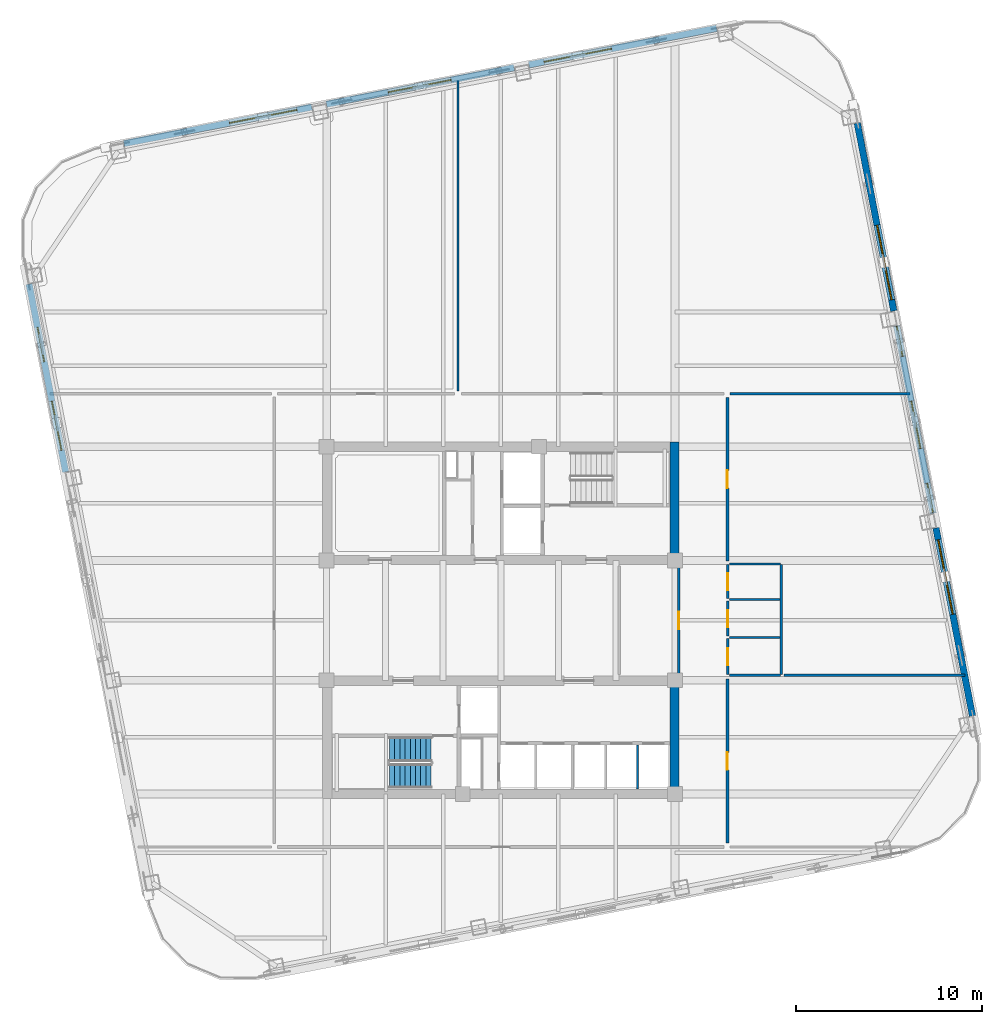
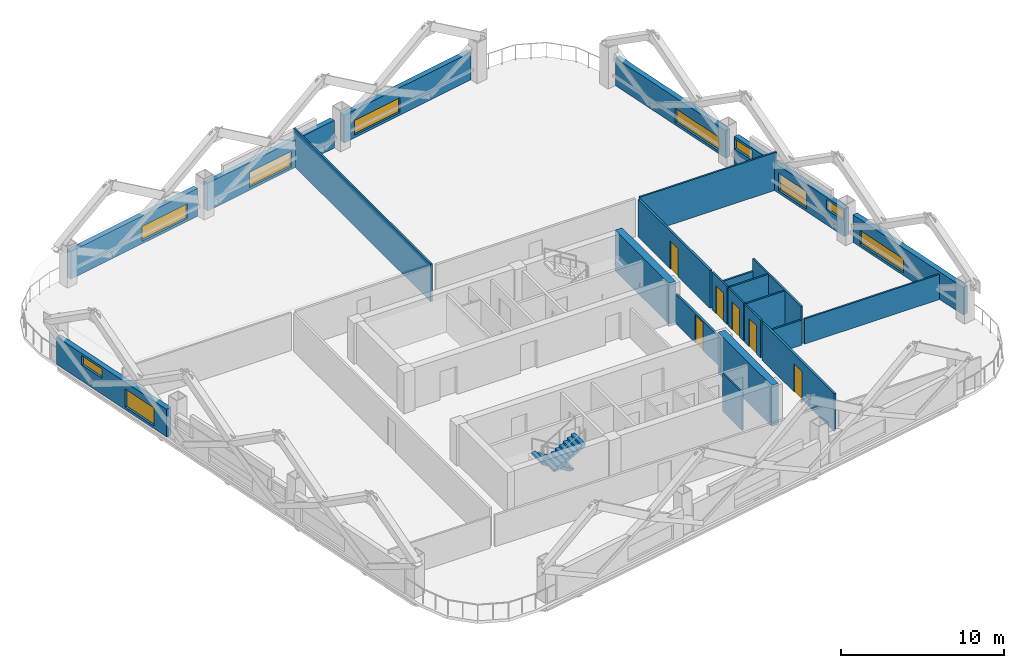
# One storey, part 6 of 10: 24 walls, 10 windows, 6 doors, 2 stair flights, 16 openings, 1 element without a shape of its own.
"""IFC4 building model written with IfcOpenShell, lengths in metres."""

from ifc_helpers import new_model, si_unit, direction, frame, frame_2d, origin, place, context, subcontext, project, spatial, polyline, rectangle, outline, extrude, material, layer, layer_set, type_object, element, fill, aggregate, save


model = new_model("IFC4")

# Units and contexts
model_context = context("Model", 3, precision=1e-05, world=origin(), true_north=direction((0.0, 1.0)))
body_context = subcontext(model_context, "Body", "Model", "MODEL_VIEW")
ifc_project = project(units=[si_unit("LENGTHUNIT", "METRE"), si_unit("AREAUNIT", "SQUARE_METRE"), si_unit("VOLUMEUNIT", "CUBIC_METRE"), si_unit("PLANEANGLEUNIT", "RADIAN"), si_unit("MASSUNIT", "GRAM", prefix="KILO")], contexts=[model_context])

# Site, building, storey
site_placement = place(None, origin())
site = spatial("IfcSite", under=ifc_project, at=site_placement, CompositionType="ELEMENT")
building_placement = place(site_placement, origin())
building = spatial("IfcBuilding", under=site, at=building_placement, Name="Qhalaya Broadcast Tower", CompositionType="ELEMENT")
storey_placement = place(building_placement, frame((0.0, 0.0, 118.89990234375)))
storey = spatial("IfcBuildingStorey", under=building, at=storey_placement, Name="L34", CompositionType="ELEMENT", Elevation=118.89990234375)

# Wall, opening, door
ifc_material_1 = material(Name="Gypsum Acoustic Partition")
ifc_layer_1 = layer(ifc_material_1, 0.14990234375, Name="Gypsum Acoustic Partition")
ifc_layer_set_1 = layer_set([ifc_layer_1], Name="Gypsum Acoustic Partition")
wall_type_1 = type_object("IfcWallType", Name="Corridor & Tenancy Acoustic Partition 150", PredefinedType="PARTITIONING", material=ifc_layer_set_1)
wall_1_placement = place(storey_placement, frame((9.580078125, -2.320068359375, 0.0), z_axis=(0.0, 0.0, 1.0), x_axis=(0.0, 1.0, 0.0)))
wall_1 = element("IfcWall", 1, at=wall_1_placement, inside=storey, type_object=wall_type_1, Name="L34 Partition Wall W-ICHE", PredefinedType="PARTITIONING", context=body_context, shape_type="SweptSolid", body=[
    extrude(rectangle(XDim=5.840087890625, YDim=0.14990234375, at=frame_2d((2.919921875, 0.0))), origin(), (0.0, 0.0, 1.0), 2.197998046875),
])
opening_1_placement = place(wall_1_placement, frame((2.445068359375, 0.0, 0.0)))
opening_1 = element("IfcOpeningElement", 2, at=opening_1_placement, cuts=wall_1, Name="Opening D10", PredefinedType="OPENING", context=body_context, shape_type="SweptSolid", body=[
    extrude(rectangle(XDim=0.949951171875, YDim=2.10009765625, at=frame_2d((0.47509765625, 1.050048828125))), frame((0.0, 0.0869140625, 0.0), z_axis=(0.0, -1.0, 0.0), x_axis=(1.0, 0.0, 0.0)), (0.0, 0.0, 1.0), 0.173828125),
])
ifc_material_2 = material(Name="Timber Veneer Acoustic Door", Category="wood")
door_type_1 = type_object("IfcDoorType", Name="Cellular Office & Edit Booth Door D10", OperationType="NOTDEFINED", PredefinedType="DOOR", material=ifc_material_2)
door_1_placement = place(opening_1_placement, origin())
door_1 = element("IfcDoor", 3, at=door_1_placement, inside=storey, type_object=door_type_1, Name="L34 Door D-ICHE", OperationType="SINGLE_SWING_RIGHT", OverallHeight=2.10009765625, OverallWidth=0.949951171875, PredefinedType="DOOR", context=body_context, shape_type="SweptSolid", body=[
    extrude(rectangle(XDim=0.949951171875, YDim=2.10009765625, at=frame_2d((0.47509765625, 1.050048828125))), frame((0.0, 0.02490234375, 0.0), z_axis=(0.0, -1.0, 0.0), x_axis=(1.0, 0.0, 0.0)), (0.0, 0.0, 1.0), 0.050048828125),
])
fill(opening_1, door_1)

wall_2_placement = place(storey_placement, frame((12.199951171875, -11.39990234375, 0.0), z_axis=(0.0, 0.0, 1.0), x_axis=(0.0, 1.0, 0.0)))
wall_2 = element("IfcWall", 4, at=wall_2_placement, inside=storey, type_object=wall_type_1, Name="L34 Partition Wall W-COR-05", PredefinedType="PARTITIONING", context=body_context, shape_type="SweptSolid", body=[
    extrude(rectangle(XDim=8.83984375, YDim=0.14990234375, at=frame_2d((4.419921875, 0.0))), origin(), (0.0, 0.0, 1.0), 2.830078125),
])
opening_2_placement = place(wall_2_placement, frame((3.945068359375, 0.0, 0.0)))
opening_2 = element("IfcOpeningElement", 5, at=opening_2_placement, cuts=wall_2, Name="Opening D10", PredefinedType="OPENING", context=body_context, shape_type="SweptSolid", body=[
    extrude(rectangle(XDim=0.949951171875, YDim=2.10009765625, at=frame_2d((0.47509765625, 1.050048828125))), frame((0.0, 0.0869140625, 0.0), z_axis=(0.0, -1.0, 0.0), x_axis=(1.0, 0.0, 0.0)), (0.0, 0.0, 1.0), 0.173828125),
])
door_2_placement = place(opening_2_placement, origin())
door_2 = element("IfcDoor", 6, at=door_2_placement, inside=storey, type_object=door_type_1, Name="L34 Door D-RM05", OperationType="SINGLE_SWING_RIGHT", OverallHeight=2.10009765625, OverallWidth=0.949951171875, PredefinedType="DOOR", context=body_context, shape_type="SweptSolid", body=[
    extrude(rectangle(XDim=0.949951171875, YDim=2.10009765625, at=frame_2d((0.47509765625, 1.050048828125))), frame((0.0, 0.02490234375, 0.0), z_axis=(0.0, -1.0, 0.0), x_axis=(1.0, 0.0, 0.0)), (0.0, 0.0, 1.0), 0.050048828125),
])
fill(opening_2, door_2)

wall_3_placement = place(storey_placement, frame((12.199951171875, 3.800048828125, 0.0), z_axis=(0.0, 0.0, 1.0), x_axis=(0.0, 1.0, 0.0)))
wall_3 = element("IfcWall", 7, at=wall_3_placement, inside=storey, type_object=wall_type_1, Name="L34 Partition Wall W-COR-06", PredefinedType="PARTITIONING", context=body_context, shape_type="SweptSolid", body=[
    extrude(rectangle(XDim=8.800048828125, YDim=0.14990234375, at=frame_2d((4.39990234375, 0.0))), origin(), (0.0, 0.0, 1.0), 2.830078125),
])
opening_3_placement = place(wall_3_placement, frame((3.925048828125, 0.0, 0.0)))
opening_3 = element("IfcOpeningElement", 8, at=opening_3_placement, cuts=wall_3, Name="Opening D10", PredefinedType="OPENING", context=body_context, shape_type="SweptSolid", body=[
    extrude(rectangle(XDim=0.949951171875, YDim=2.10009765625, at=frame_2d((0.47509765625, 1.050048828125))), frame((0.0, 0.0869140625, 0.0), z_axis=(0.0, -1.0, 0.0), x_axis=(1.0, 0.0, 0.0)), (0.0, 0.0, 1.0), 0.173828125),
])
door_3_placement = place(opening_3_placement, origin())
door_3 = element("IfcDoor", 9, at=door_3_placement, inside=storey, type_object=door_type_1, Name="L34 Door D-RM06", OperationType="SINGLE_SWING_LEFT", OverallHeight=2.10009765625, OverallWidth=0.949951171875, PredefinedType="DOOR", context=body_context, shape_type="SweptSolid", body=[
    extrude(rectangle(XDim=0.949951171875, YDim=2.10009765625, at=frame_2d((0.47509765625, 1.050048828125))), frame((0.0, 0.02490234375, 0.0), z_axis=(0.0, -1.0, 0.0), x_axis=(1.0, 0.0, 0.0)), (0.0, 0.0, 1.0), 0.050048828125),
])
fill(opening_3, door_3)

# Wall, opening, window
ifc_material_3 = material(Name="Precast Concrete C40/50", Category="concrete")
ifc_layer_2 = layer(ifc_material_3, 0.360107421875, Name="Precast Concrete C40/50")
ifc_layer_set_2 = layer_set([ifc_layer_2], Name="Precast Concrete C40/50")
wall_type_2 = type_object("IfcWallType", Name="Insulated Precast Terracotta Exterior Wall 360", PredefinedType="SOLIDWALL", material=ifc_layer_set_2)
wall_4_placement = place(storey_placement, frame((19.189697265625, 27.37646484375, 0.0), z_axis=(0.0, 0.0, 1.0), x_axis=(0.190822765986, -0.981624506612, 0.0)))
wall_4 = element("IfcWall", 10, at=wall_4_placement, inside=storey, type_object=wall_type_2, Name="L34 Exoskeleton Diagrid Infill Wall E1", PredefinedType="SOLIDWALL", context=body_context, shape_type="SweptSolid", body=[
    extrude(rectangle(XDim=10.31201171875, YDim=0.360107421875, at=frame_2d((5.156005859375, 0.0))), origin(), (0.0, 0.0, 1.0), 2.067138671875),
])
opening_4_placement = place(wall_4_placement, frame((5.60009765625, 0.0, 0.199951171875)))
opening_4 = element("IfcOpeningElement", 11, at=opening_4_placement, cuts=wall_4, Name="Opening W11", PredefinedType="OPENING", context=body_context, shape_type="SweptSolid", body=[
    extrude(rectangle(XDim=4.10009765625, YDim=1.050048828125, at=frame_2d((2.050048828125, 0.52490234375))), frame((0.0, 0.192138671875, 0.0), z_axis=(0.0, -1.0, 0.0), x_axis=(1.0, 0.0, 0.0)), (0.0, 0.0, 1.0), 0.384033203125),
])
ifc_material_4 = material(Name="Solar-Control Low-E Triple Glazing", Category="glass")
window_type = type_object("IfcWindowType", Name="Odd-Block Diagrid Infill Window W11", PartitioningType="SINGLE_PANEL", PredefinedType="WINDOW", material=ifc_material_4)
window_1_placement = place(opening_4_placement, origin())
window_1 = element("IfcWindow", 12, at=window_1_placement, inside=storey, type_object=window_type, Name="L34 Diagrid Infill Window W11-E1", OverallHeight=1.050048828125, OverallWidth=4.10009765625, PartitioningType="SINGLE_PANEL", PredefinedType="WINDOW", context=body_context, shape_type="SweptSolid", body=[
    extrude(rectangle(XDim=4.10009765625, YDim=1.050048828125, at=frame_2d((2.050048828125, 0.52490234375))), frame((0.0, 0.030029296875, 0.0), z_axis=(0.0, -1.0, 0.0), x_axis=(1.0, 0.0, 0.0)), (0.0, 0.0, 1.0), 0.06005859375),
])
fill(opening_4, window_1)

# Wall, openings, windows
wall_5_placement = place(storey_placement, frame((21.31005859375, 16.468505859375, 0.0), z_axis=(0.0, 0.0, 1.0), x_axis=(0.190811924826, -0.981626614016, 0.0)))
wall_5 = element("IfcWall", 13, at=wall_5_placement, inside=storey, type_object=wall_type_2, Name="L34 Exoskeleton Diagrid Infill Wall E2", PredefinedType="SOLIDWALL", context=body_context, shape_type="SweptSolid", body=[
    extrude(rectangle(XDim=10.2998046875, YDim=0.360107421875, at=frame_2d((5.14990234375, 0.0))), origin(), (0.0, 0.0, 1.0), 2.067138671875),
])
opening_5_placement = place(wall_5_placement, frame((0.0380859375, 0.0, 1.14990234375)))
opening_5 = element("IfcOpeningElement", 14, at=opening_5_placement, cuts=wall_5, Name="Opening W11", PredefinedType="OPENING", context=body_context, shape_type="SweptSolid", body=[
    extrude(rectangle(XDim=1.64990234375, YDim=0.75, at=frame_2d((0.824951171875, 0.375))), frame((0.0, 0.192138671875, 0.0), z_axis=(0.0, -1.0, 0.0), x_axis=(1.0, 0.0, 0.0)), (0.0, 0.0, 1.0), 0.384033203125),
])
opening_6_placement = place(wall_5_placement, frame((4.137939453125, 0.0, 0.199951171875)))
opening_6 = element("IfcOpeningElement", 15, at=opening_6_placement, cuts=wall_5, Name="Opening W11", PredefinedType="OPENING", context=body_context, shape_type="SweptSolid", body=[
    extrude(rectangle(XDim=2.60009765625, YDim=1.300048828125, at=frame_2d((1.300048828125, 0.64990234375))), frame((0.0, 0.192138671875, 0.0), z_axis=(0.0, -1.0, 0.0), x_axis=(1.0, 0.0, 0.0)), (0.0, 0.0, 1.0), 0.384033203125),
])
opening_7_placement = place(wall_5_placement, frame((8.637939453125, 0.0, 1.14990234375)))
opening_7 = element("IfcOpeningElement", 16, at=opening_7_placement, cuts=wall_5, Name="Opening W11", PredefinedType="OPENING", context=body_context, shape_type="SweptSolid", body=[
    extrude(rectangle(XDim=1.60009765625, YDim=0.75, at=frame_2d((0.800048828125, 0.375))), frame((0.0, 0.192138671875, 0.0), z_axis=(0.0, -1.0, 0.0), x_axis=(1.0, 0.0, 0.0)), (0.0, 0.0, 1.0), 0.384033203125),
])
window_2_placement = place(opening_5_placement, origin())
window_2 = element("IfcWindow", 17, at=window_2_placement, inside=storey, type_object=window_type, Name="L34 Diagrid Infill Window W11-E2", OverallHeight=0.75, OverallWidth=1.64990234375, PartitioningType="SINGLE_PANEL", PredefinedType="WINDOW", context=body_context, shape_type="SweptSolid", body=[
    extrude(rectangle(XDim=1.64990234375, YDim=0.75, at=frame_2d((0.824951171875, 0.375))), frame((0.0, 0.030029296875, 0.0), z_axis=(0.0, -1.0, 0.0), x_axis=(1.0, 0.0, 0.0)), (0.0, 0.0, 1.0), 0.06005859375),
])
fill(opening_5, window_2)
window_3_placement = place(opening_6_placement, origin())
window_3 = element("IfcWindow", 18, at=window_3_placement, inside=storey, type_object=window_type, Name="L34 Diagrid Infill Window W11-E3", OverallHeight=1.300048828125, OverallWidth=2.60009765625, PartitioningType="SINGLE_PANEL", PredefinedType="WINDOW", context=body_context, shape_type="SweptSolid", body=[
    extrude(rectangle(XDim=2.60009765625, YDim=1.300048828125, at=frame_2d((1.300048828125, 0.64990234375))), frame((0.0, 0.030029296875, 0.0), z_axis=(0.0, -1.0, 0.0), x_axis=(1.0, 0.0, 0.0)), (0.0, 0.0, 1.0), 0.06005859375),
])
fill(opening_6, window_3)
window_4_placement = place(opening_7_placement, origin())
window_4 = element("IfcWindow", 19, at=window_4_placement, inside=storey, type_object=window_type, Name="L34 Diagrid Infill Window W11-E4", OverallHeight=0.75, OverallWidth=1.60009765625, PartitioningType="SINGLE_PANEL", PredefinedType="WINDOW", context=body_context, shape_type="SweptSolid", body=[
    extrude(rectangle(XDim=1.60009765625, YDim=0.75, at=frame_2d((0.800048828125, 0.375))), frame((0.0, 0.030029296875, 0.0), z_axis=(0.0, -1.0, 0.0), x_axis=(1.0, 0.0, 0.0)), (0.0, 0.0, 1.0), 0.06005859375),
])
fill(opening_7, window_4)

# Wall, opening, window
wall_6_placement = place(storey_placement, frame((23.427978515625, 5.572509765625, 0.0), z_axis=(0.0, 0.0, 1.0), x_axis=(0.190827200853, -0.981623644486, 0.0)))
wall_6 = element("IfcWall", 20, at=wall_6_placement, inside=storey, type_object=wall_type_2, Name="L34 Exoskeleton Diagrid Infill Wall E3", PredefinedType="SOLIDWALL", context=body_context, shape_type="SweptSolid", body=[
    extrude(rectangle(XDim=10.311767578125, YDim=0.360107421875, at=frame_2d((5.15576171875, 0.0))), origin(), (0.0, 0.0, 1.0), 2.067138671875),
])
opening_8_placement = place(wall_6_placement, frame((0.637939453125, 0.0, 0.199951171875)))
opening_8 = element("IfcOpeningElement", 21, at=opening_8_placement, cuts=wall_6, Name="Opening W11", PredefinedType="OPENING", context=body_context, shape_type="SweptSolid", body=[
    extrude(rectangle(XDim=4.10009765625, YDim=1.050048828125, at=frame_2d((2.050048828125, 0.52490234375))), frame((0.0, 0.192138671875, 0.0), z_axis=(0.0, -1.0, 0.0), x_axis=(1.0, 0.0, 0.0)), (0.0, 0.0, 1.0), 0.384033203125),
])
window_5_placement = place(opening_8_placement, origin())
window_5 = element("IfcWindow", 22, at=window_5_placement, inside=storey, type_object=window_type, Name="L34 Diagrid Infill Window W11-E5", OverallHeight=1.050048828125, OverallWidth=4.10009765625, PartitioningType="SINGLE_PANEL", PredefinedType="WINDOW", context=body_context, shape_type="SweptSolid", body=[
    extrude(rectangle(XDim=4.10009765625, YDim=1.050048828125, at=frame_2d((2.050048828125, 0.52490234375))), frame((0.0, 0.030029296875, 0.0), z_axis=(0.0, -1.0, 0.0), x_axis=(1.0, 0.0, 0.0)), (0.0, 0.0, 1.0), 0.06005859375),
])
fill(opening_8, window_5)

wall_7_placement = place(storey_placement, frame((-20.29638671875, 26.269775390625, 0.0), z_axis=(0.0, 0.0, 1.0), x_axis=(0.981628941133, 0.190799952646, 0.0)))
wall_7 = element("IfcWall", 23, at=wall_7_placement, inside=storey, type_object=wall_type_2, Name="L34 Exoskeleton Diagrid Infill Wall N1", PredefinedType="SOLIDWALL", context=body_context, shape_type="SweptSolid", body=[
    extrude(rectangle(XDim=10.31201171875, YDim=0.360107421875, at=frame_2d((5.156005859375, 0.0))), origin(), (0.0, 0.0, 1.0), 2.067138671875),
])
opening_9_placement = place(wall_7_placement, frame((5.800048828125, 0.0, 0.199951171875)))
opening_9 = element("IfcOpeningElement", 24, at=opening_9_placement, cuts=wall_7, Name="Opening W11", PredefinedType="OPENING", context=body_context, shape_type="SweptSolid", body=[
    extrude(rectangle(XDim=3.699951171875, YDim=1.10009765625, at=frame_2d((1.85009765625, 0.550048828125))), frame((0.0, 0.192138671875, 0.0), z_axis=(0.0, -1.0, 0.0), x_axis=(1.0, 0.0, 0.0)), (0.0, 0.0, 1.0), 0.384033203125),
])
window_6_placement = place(opening_9_placement, origin())
window_6 = element("IfcWindow", 25, at=window_6_placement, inside=storey, type_object=window_type, Name="L34 Diagrid Infill Window W11-N1", OverallHeight=1.10009765625, OverallWidth=3.699951171875, PartitioningType="SINGLE_PANEL", PredefinedType="WINDOW", context=body_context, shape_type="SweptSolid", body=[
    extrude(rectangle(XDim=3.699951171875, YDim=1.10009765625, at=frame_2d((1.85009765625, 0.550048828125))), frame((0.0, 0.030029296875, 0.0), z_axis=(0.0, -1.0, 0.0), x_axis=(1.0, 0.0, 0.0)), (0.0, 0.0, 1.0), 0.06005859375),
])
fill(opening_9, window_6)

wall_8_placement = place(storey_placement, frame((-9.388671875, 28.39013671875, 0.0), z_axis=(0.0, 0.0, 1.0), x_axis=(0.981627477005, 0.190807485147, 0.0)))
wall_8 = element("IfcWall", 26, at=wall_8_placement, inside=storey, type_object=wall_type_2, Name="L34 Exoskeleton Diagrid Infill Wall N2", PredefinedType="SOLIDWALL", context=body_context, shape_type="SweptSolid", body=[
    extrude(rectangle(XDim=10.300048828125, YDim=0.360107421875, at=frame_2d((5.14990234375, 0.0))), origin(), (0.0, 0.0, 1.0), 2.067138671875),
])
opening_10_placement = place(wall_8_placement, frame((3.387939453125, 0.0, 0.199951171875)))
opening_10 = element("IfcOpeningElement", 27, at=opening_10_placement, cuts=wall_8, Name="Opening W11", PredefinedType="OPENING", context=body_context, shape_type="SweptSolid", body=[
    extrude(rectangle(XDim=3.449951171875, YDim=1.14990234375, at=frame_2d((1.72509765625, 0.574951171875))), frame((0.0, 0.192138671875, 0.0), z_axis=(0.0, -1.0, 0.0), x_axis=(1.0, 0.0, 0.0)), (0.0, 0.0, 1.0), 0.384033203125),
])
window_7_placement = place(opening_10_placement, origin())
window_7 = element("IfcWindow", 28, at=window_7_placement, inside=storey, type_object=window_type, Name="L34 Diagrid Infill Window W11-N2", OverallHeight=1.14990234375, OverallWidth=3.449951171875, PartitioningType="SINGLE_PANEL", PredefinedType="WINDOW", context=body_context, shape_type="SweptSolid", body=[
    extrude(rectangle(XDim=3.449951171875, YDim=1.14990234375, at=frame_2d((1.72509765625, 0.574951171875))), frame((0.0, 0.030029296875, 0.0), z_axis=(0.0, -1.0, 0.0), x_axis=(1.0, 0.0, 0.0)), (0.0, 0.0, 1.0), 0.06005859375),
])
fill(opening_10, window_7)

wall_9_placement = place(storey_placement, frame((1.50732421875, 30.508056640625, 0.0), z_axis=(0.0, 0.0, 1.0), x_axis=(0.981628941133, 0.190799952646, 0.0)))
wall_9 = element("IfcWall", 29, at=wall_9_placement, inside=storey, type_object=wall_type_2, Name="L34 Exoskeleton Diagrid Infill Wall N3", PredefinedType="SOLIDWALL", context=body_context, shape_type="SweptSolid", body=[
    extrude(rectangle(XDim=10.31201171875, YDim=0.360107421875, at=frame_2d((5.156005859375, 0.0))), origin(), (0.0, 0.0, 1.0), 2.067138671875),
])
opening_11_placement = place(wall_9_placement, frame((0.837890625, 0.0, 0.199951171875)))
opening_11 = element("IfcOpeningElement", 30, at=opening_11_placement, cuts=wall_9, Name="Opening W11", PredefinedType="OPENING", context=body_context, shape_type="SweptSolid", body=[
    extrude(rectangle(XDim=3.699951171875, YDim=1.10009765625, at=frame_2d((1.85009765625, 0.550048828125))), frame((0.0, 0.192138671875, 0.0), z_axis=(0.0, -1.0, 0.0), x_axis=(1.0, 0.0, 0.0)), (0.0, 0.0, 1.0), 0.384033203125),
])
window_8_placement = place(opening_11_placement, origin())
window_8 = element("IfcWindow", 31, at=window_8_placement, inside=storey, type_object=window_type, Name="L34 Diagrid Infill Window W11-N3", OverallHeight=1.10009765625, OverallWidth=3.699951171875, PartitioningType="SINGLE_PANEL", PredefinedType="WINDOW", context=body_context, shape_type="SweptSolid", body=[
    extrude(rectangle(XDim=3.699951171875, YDim=1.10009765625, at=frame_2d((1.85009765625, 0.550048828125))), frame((0.0, 0.030029296875, 0.0), z_axis=(0.0, -1.0, 0.0), x_axis=(1.0, 0.0, 0.0)), (0.0, 0.0, 1.0), 0.06005859375),
])
fill(opening_11, window_8)

# Wall, openings, windows
wall_10_placement = place(storey_placement, frame((-23.427978515625, 8.58740234375, 0.0), z_axis=(0.0, 0.0, 1.0), x_axis=(-0.190822765986, 0.981624506612, 0.0)))
wall_10 = element("IfcWall", 32, at=wall_10_placement, inside=storey, type_object=wall_type_2, Name="L34 Exoskeleton Diagrid Infill Wall W3", PredefinedType="SOLIDWALL", context=body_context, shape_type="SweptSolid", body=[
    extrude(rectangle(XDim=10.31201171875, YDim=0.360107421875, at=frame_2d((5.156005859375, 0.0))), origin(), (0.0, 0.0, 1.0), 2.067138671875),
])
opening_12_placement = place(wall_10_placement, frame((1.18798828125, 0.0, 0.199951171875)))
opening_12 = element("IfcOpeningElement", 33, at=opening_12_placement, cuts=wall_10, Name="Opening W11", PredefinedType="OPENING", context=body_context, shape_type="SweptSolid", body=[
    extrude(rectangle(XDim=2.699951171875, YDim=1.35009765625, at=frame_2d((1.35009765625, 0.675048828125))), frame((0.0, 0.192138671875, 0.0), z_axis=(0.0, -1.0, 0.0), x_axis=(1.0, 0.0, 0.0)), (0.0, 0.0, 1.0), 0.384033203125),
])
opening_13_placement = place(wall_10_placement, frame((6.0380859375, 0.0, 1.199951171875)))
opening_13 = element("IfcOpeningElement", 34, at=opening_13_placement, cuts=wall_10, Name="Opening W11", PredefinedType="OPENING", context=body_context, shape_type="SweptSolid", body=[
    extrude(rectangle(XDim=1.89990234375, YDim=0.699951171875, at=frame_2d((0.949951171875, 0.35009765625))), frame((0.0, 0.192138671875, 0.0), z_axis=(0.0, -1.0, 0.0), x_axis=(1.0, 0.0, 0.0)), (0.0, 0.0, 1.0), 0.384033203125),
])
window_9_placement = place(opening_12_placement, origin())
window_9 = element("IfcWindow", 35, at=window_9_placement, inside=storey, type_object=window_type, Name="L34 Diagrid Infill Window W11-W5", OverallHeight=1.35009765625, OverallWidth=2.699951171875, PartitioningType="SINGLE_PANEL", PredefinedType="WINDOW", context=body_context, shape_type="SweptSolid", body=[
    extrude(rectangle(XDim=2.699951171875, YDim=1.35009765625, at=frame_2d((1.35009765625, 0.675048828125))), frame((0.0, 0.030029296875, 0.0), z_axis=(0.0, -1.0, 0.0), x_axis=(1.0, 0.0, 0.0)), (0.0, 0.0, 1.0), 0.06005859375),
])
fill(opening_12, window_9)
window_10_placement = place(opening_13_placement, origin())
window_10 = element("IfcWindow", 36, at=window_10_placement, inside=storey, type_object=window_type, Name="L34 Diagrid Infill Window W11-W6", OverallHeight=0.699951171875, OverallWidth=1.89990234375, PartitioningType="SINGLE_PANEL", PredefinedType="WINDOW", context=body_context, shape_type="SweptSolid", body=[
    extrude(rectangle(XDim=1.89990234375, YDim=0.699951171875, at=frame_2d((0.949951171875, 0.35009765625))), frame((0.0, 0.030029296875, 0.0), z_axis=(0.0, -1.0, 0.0), x_axis=(1.0, 0.0, 0.0)), (0.0, 0.0, 1.0), 0.06005859375),
])
fill(opening_13, window_10)

# Walls
ifc_material_5 = material(Name="Concrete C50/60", Category="concrete")
ifc_layer_3 = layer(ifc_material_5, 0.5, Name="Concrete C50/60")
ifc_layer_set_3 = layer_set([ifc_layer_3], Name="Concrete C50/60")
wall_type_3 = type_object("IfcWallType", Name="Mid Split-Core Shear Wall 500", PredefinedType="SHEAR", material=ifc_layer_set_3)
wall_11_placement = place(storey_placement, frame((9.35009765625, 3.60009765625, 0.0), z_axis=(0.0, 0.0, 1.0), x_axis=(0.0, 1.0, 0.0)))
element("IfcWall", 37, at=wall_11_placement, inside=storey, type_object=wall_type_3, Name="L34 Split-Core Shear Wall CW-NE", PredefinedType="SHEAR", context=body_context, shape_type="SweptSolid", body=[
    extrude(rectangle(XDim=6.599853515625, YDim=0.5, at=frame_2d((3.2998046875, 0.0))), origin(), (0.0, 0.0, 1.0), 3.050048828125),
])
wall_12_placement = place(storey_placement, frame((9.35009765625, -9.0, 0.0), z_axis=(0.0, 0.0, 1.0), x_axis=(0.0, 1.0, 0.0)))
element("IfcWall", 38, at=wall_12_placement, inside=storey, type_object=wall_type_3, Name="L34 Split-Core Shear Wall CW-SE", PredefinedType="SHEAR", context=body_context, shape_type="SweptSolid", body=[
    extrude(rectangle(XDim=6.60009765625, YDim=0.5, at=frame_2d((3.300048828125, 0.0))), origin(), (0.0, 0.0, 1.0), 3.050048828125),
])
ifc_layer_4 = layer(ifc_material_1, 0.1201171875, Name="Gypsum Acoustic Partition")
ifc_layer_set_4 = layer_set([ifc_layer_4], Name="Gypsum Acoustic Partition")
wall_type_4 = type_object("IfcWallType", Name="Office, Booth & Sanitary Partition 120", PredefinedType="PARTITIONING", material=ifc_layer_set_4)
wall_13_placement = place(storey_placement, frame((7.360107421875, -8.47998046875, 0.0), z_axis=(0.0, 0.0, 1.0), x_axis=(0.0, 1.0, 0.0)))
element("IfcWall", 39, at=wall_13_placement, inside=storey, type_object=wall_type_4, Name="L34 Partition Wall SCW-HD7", PredefinedType="PARTITIONING", context=body_context, shape_type="SweptSolid", body=[
    extrude(rectangle(XDim=2.3798828125, YDim=0.1201171875, at=frame_2d((1.18994140625, 0.0))), origin(), (0.0, 0.0, 1.0), 2.830078125),
])

# Wall, opening, door
wall_14_placement = place(storey_placement, frame((12.219970703125, -2.320068359375, 0.0), z_axis=(0.0, 0.0, 1.0), x_axis=(0.0, 1.0, 0.0)))
wall_14 = element("IfcWall", 40, at=wall_14_placement, inside=storey, type_object=wall_type_4, Name="L34 Partition Wall W-WCWA", PredefinedType="PARTITIONING", context=body_context, shape_type="SweptSolid", body=[
    extrude(rectangle(XDim=1.940185546875, YDim=0.1201171875, at=frame_2d((0.97021484375, 0.0))), origin(), (0.0, 0.0, 1.0), 2.830078125),
])
opening_14_placement = place(wall_14_placement, frame((0.4951171875, 0.0, 0.0)))
opening_14 = element("IfcOpeningElement", 41, at=opening_14_placement, cuts=wall_14, Name="Opening D12", PredefinedType="OPENING", context=body_context, shape_type="SweptSolid", body=[
    extrude(rectangle(XDim=0.919921875, YDim=2.10009765625, at=frame_2d((0.4599609375, 1.050048828125))), frame((0.0, 0.072021484375, 0.0), z_axis=(0.0, -1.0, 0.0), x_axis=(1.0, 0.0, 0.0)), (0.0, 0.0, 1.0), 0.14404296875),
])
door_type_2 = type_object("IfcDoorType", Name="Accessible WC & Restroom Door D12", OperationType="NOTDEFINED", PredefinedType="DOOR", material=ifc_material_2)
door_4_placement = place(opening_14_placement, origin())
door_4 = element("IfcDoor", 42, at=door_4_placement, inside=storey, type_object=door_type_2, Name="L34 Door D-WCA", OperationType="SINGLE_SWING_LEFT", OverallHeight=2.10009765625, OverallWidth=0.919921875, PredefinedType="DOOR", context=body_context, shape_type="SweptSolid", body=[
    extrude(rectangle(XDim=0.919921875, YDim=2.10009765625, at=frame_2d((0.4599609375, 1.050048828125))), frame((0.0, 0.02490234375, 0.0), z_axis=(0.0, -1.0, 0.0), x_axis=(1.0, 0.0, 0.0)), (0.0, 0.0, 1.0), 0.050048828125),
])
fill(opening_14, door_4)

wall_15_placement = place(storey_placement, frame((12.219970703125, -0.25, 0.0), z_axis=(0.0, 0.0, 1.0), x_axis=(0.0, 1.0, 0.0)))
wall_15 = element("IfcWall", 43, at=wall_15_placement, inside=storey, type_object=wall_type_4, Name="L34 Partition Wall W-WCWM", PredefinedType="PARTITIONING", context=body_context, shape_type="SweptSolid", body=[
    extrude(rectangle(XDim=1.89990234375, YDim=0.1201171875, at=frame_2d((0.949951171875, 0.0))), origin(), (0.0, 0.0, 1.0), 2.830078125),
])
opening_15_placement = place(wall_15_placement, frame((0.47509765625, 0.0, 0.0)))
opening_15 = element("IfcOpeningElement", 44, at=opening_15_placement, cuts=wall_15, Name="Opening D12", PredefinedType="OPENING", context=body_context, shape_type="SweptSolid", body=[
    extrude(rectangle(XDim=0.919921875, YDim=2.10009765625, at=frame_2d((0.4599609375, 1.050048828125))), frame((0.0, 0.072021484375, 0.0), z_axis=(0.0, -1.0, 0.0), x_axis=(1.0, 0.0, 0.0)), (0.0, 0.0, 1.0), 0.14404296875),
])
door_5_placement = place(opening_15_placement, origin())
door_5 = element("IfcDoor", 45, at=door_5_placement, inside=storey, type_object=door_type_2, Name="L34 Door D-WCM", OperationType="SINGLE_SWING_RIGHT", OverallHeight=2.10009765625, OverallWidth=0.919921875, PredefinedType="DOOR", context=body_context, shape_type="SweptSolid", body=[
    extrude(rectangle(XDim=0.919921875, YDim=2.10009765625, at=frame_2d((0.4599609375, 1.050048828125))), frame((0.0, 0.02490234375, 0.0), z_axis=(0.0, -1.0, 0.0), x_axis=(1.0, 0.0, 0.0)), (0.0, 0.0, 1.0), 0.050048828125),
])
fill(opening_15, door_5)

wall_16_placement = place(storey_placement, frame((12.219970703125, 1.780029296875, 0.0), z_axis=(0.0, 0.0, 1.0), x_axis=(0.0, 1.0, 0.0)))
wall_16 = element("IfcWall", 46, at=wall_16_placement, inside=storey, type_object=wall_type_4, Name="L34 Partition Wall W-WCWF", PredefinedType="PARTITIONING", context=body_context, shape_type="SweptSolid", body=[
    extrude(rectangle(XDim=1.830078125, YDim=0.1201171875, at=frame_2d((0.9150390625, 0.0))), origin(), (0.0, 0.0, 1.0), 2.830078125),
])
opening_16_placement = place(wall_16_placement, frame((0.43994140625, 0.0, 0.0)))
opening_16 = element("IfcOpeningElement", 47, at=opening_16_placement, cuts=wall_16, Name="Opening D12", PredefinedType="OPENING", context=body_context, shape_type="SweptSolid", body=[
    extrude(rectangle(XDim=0.919921875, YDim=2.10009765625, at=frame_2d((0.4599609375, 1.050048828125))), frame((0.0, 0.072021484375, 0.0), z_axis=(0.0, -1.0, 0.0), x_axis=(1.0, 0.0, 0.0)), (0.0, 0.0, 1.0), 0.14404296875),
])
door_6_placement = place(opening_16_placement, origin())
door_6 = element("IfcDoor", 48, at=door_6_placement, inside=storey, type_object=door_type_2, Name="L34 Door D-WCF", OperationType="SINGLE_SWING_LEFT", OverallHeight=2.10009765625, OverallWidth=0.919921875, PredefinedType="DOOR", context=body_context, shape_type="SweptSolid", body=[
    extrude(rectangle(XDim=0.919921875, YDim=2.10009765625, at=frame_2d((0.4599609375, 1.050048828125))), frame((0.0, 0.02490234375, 0.0), z_axis=(0.0, -1.0, 0.0), x_axis=(1.0, 0.0, 0.0)), (0.0, 0.0, 1.0), 0.050048828125),
])
fill(opening_16, door_6)

# Walls
wall_17_placement = place(storey_placement, frame((15.10009765625, -2.320068359375, 0.0), z_axis=(0.0, 0.0, 1.0), x_axis=(0.0, 1.0, 0.0)))
element("IfcWall", 49, at=wall_17_placement, inside=storey, type_object=wall_type_4, Name="L34 Partition Wall W-WCE", PredefinedType="PARTITIONING", context=body_context, shape_type="SweptSolid", body=[
    extrude(rectangle(XDim=5.93017578125, YDim=0.1201171875, at=frame_2d((2.965087890625, 0.0))), origin(), (0.0, 0.0, 1.0), 2.830078125),
])
for number, where, z_axis, x_axis, name in (
    (50, (12.31005859375, -2.35009765625, 0.0), (0.0, 0.0, 1.0), (1.0, 0.0, 0.0), "L34 Partition Wall W-WCS"),
    (51, (12.31005859375, 3.639892578125, 0.0), (0.0, 0.0, 1.0), (1.0, 0.0, 0.0), "L34 Partition Wall W-WCN"),
):
    element("IfcWall", number, at=place(storey_placement, frame(where, z_axis=z_axis, x_axis=x_axis)), inside=storey, type_object=wall_type_4, Name=name, PredefinedType="PARTITIONING", context=body_context, shape_type="SweptSolid", body=[
        extrude(rectangle(XDim=2.760009765625, YDim=0.1201171875, at=frame_2d((1.3798828125, 0.0))), origin(), (0.0, 0.0, 1.0), 1.883056640625),
    ])
for number, where, z_axis, x_axis, name in (
    (52, (12.31005859375, -0.320068359375, 0.0), (0.0, 0.0, 1.0), (1.0, 0.0, 0.0), "L34 Partition Wall W-WCD1"),
    (53, (12.31005859375, 1.719970703125, 0.0), (0.0, 0.0, 1.0), (1.0, 0.0, 0.0), "L34 Partition Wall W-WCD2"),
):
    element("IfcWall", number, at=place(storey_placement, frame(where, z_axis=z_axis, x_axis=x_axis)), inside=storey, type_object=wall_type_4, Name=name, PredefinedType="PARTITIONING", context=body_context, shape_type="SweptSolid", body=[
        extrude(rectangle(XDim=2.719970703125, YDim=0.1201171875, at=frame_2d((1.35986328125, 0.0))), origin(), (0.0, 0.0, 1.0), 2.830078125),
    ])
wall_18_placement = place(storey_placement, frame((12.340087890625, 12.800048828125, 0.0), z_axis=(0.0, 0.0, 1.0), x_axis=(1.0, 0.0, 0.0)))
element("IfcWall", 54, at=wall_18_placement, inside=storey, type_object=wall_type_4, Name="L34 Partition Wall W-BNDE1", PredefinedType="PARTITIONING", context=body_context, shape_type="SweptSolid", body=[
    extrude(rectangle(XDim=9.703369140625, YDim=0.1201171875, at=frame_2d((4.8515625, 0.0))), origin(), (0.0, 0.0, 1.0), 2.830078125),
])
wall_19_placement = place(storey_placement, frame((-2.300048828125, 12.9599609375, 0.0), z_axis=(0.0, 0.0, 1.0), x_axis=(0.0, 1.0, 0.0)))
element("IfcWall", 55, at=wall_19_placement, inside=storey, type_object=wall_type_4, Name="L34 Partition Wall W-DIVN1", PredefinedType="PARTITIONING", context=body_context, shape_type="SweptSolid", body=[
    extrude(rectangle(XDim=16.828369140625, YDim=0.1201171875, at=frame_2d((8.4140625, 0.0))), origin(), (0.0, 0.0, 1.0), 2.830078125),
])
wall_20_placement = place(storey_placement, frame((15.239990234375, -2.35009765625, 0.0), z_axis=(0.0, 0.0, 1.0), x_axis=(1.0, 0.0, 0.0)))
element("IfcWall", 56, at=wall_20_placement, inside=storey, type_object=wall_type_4, Name="L34 Partition Wall W-DIVE-WC", PredefinedType="PARTITIONING", context=body_context, shape_type="SweptSolid", body=[
    extrude(rectangle(XDim=9.748291015625, YDim=0.1201171875, at=frame_2d((4.8740234375, 0.0))), origin(), (0.0, 0.0, 1.0), 1.883056640625),
])

# Stair, stair flights
ifc_material_6 = material(Name="Concrete C40/50", Category="concrete")
stair_type = type_object("IfcStairType", Name="Protected Dogleg Core Stair 3150", PredefinedType="TWO_STRAIGHT_RUN_STAIR", material=ifc_material_6)
stair_placement = place(storey_placement, origin())
stair = element("IfcStair", 57, at=stair_placement, inside=storey, type_object=stair_type, Name="L34 South Core Exit Stair ST-2", PredefinedType="TWO_STRAIGHT_RUN_STAIR")
stair_flight_type = type_object("IfcStairFlightType", Name="Precast Concrete Stair Flight 3150", PredefinedType="STRAIGHT", material=ifc_material_3)
stair_flight_1_placement = place(storey_placement, frame((-3.75, -6.340087890625, 0.0), z_axis=(0.0, 0.0, 1.0), x_axis=(-1.0, 0.0, 0.0)))
stair_flight_1 = element("IfcStairFlight", 58, at=stair_flight_1_placement, type_object=stair_flight_type, Name="ST-2 flight 1", NumberOfRisers=9, NumberOfTreads=8, PredefinedType="STRAIGHT", RiserHeight=0.169444444, TreadLength=0.28, context=body_context, shape_type="SweptSolid", body=[
    extrude(outline(polyline([(0.0, 0.0), (0.0, 0.16943359375), (0.280029296875, 0.16943359375), (0.280029296875, 0.3388671875), (0.56005859375, 0.3388671875), (0.56005859375, 0.50830078125), (0.840087890625, 0.50830078125), (0.840087890625, 0.677734375), (1.1201171875, 0.677734375), (1.1201171875, 0.84716796875), (1.39990234375, 0.84716796875), (1.39990234375, 1.0166015625), (1.679931640625, 1.0166015625), (1.679931640625, 1.18603515625), (1.9599609375, 1.18603515625), (1.9599609375, 1.35546875), (2.239990234375, 1.35546875), (2.239990234375, 1.52490234375), (2.239990234375, 1.180419921875), (0.28955078125, 0.0), (0.0, 0.0)])), frame((0.0, 0.66015625, 0.0), z_axis=(0.0, -1.0, 0.0), x_axis=(1.0, 0.0, 0.0)), (0.0, 0.0, 1.0), 1.320068359375),
])
stair_flight_2_placement = place(storey_placement, frame((-5.989990234375, -7.780029296875, 1.525146484375), z_axis=(0.0, 0.0, 1.0), x_axis=(1.0, 0.0, 0.0)))
stair_flight_2 = element("IfcStairFlight", 59, at=stair_flight_2_placement, type_object=stair_flight_type, Name="ST-2 flight 2", NumberOfRisers=9, NumberOfTreads=8, PredefinedType="STRAIGHT", RiserHeight=0.169444444, TreadLength=0.28, context=body_context, shape_type="SweptSolid", body=[
    extrude(outline(polyline([(0.0, 0.0), (0.0, 0.16943359375), (0.280029296875, 0.16943359375), (0.280029296875, 0.3388671875), (0.56005859375, 0.3388671875), (0.56005859375, 0.50830078125), (0.840087890625, 0.50830078125), (0.840087890625, 0.677734375), (1.1201171875, 0.677734375), (1.1201171875, 0.84716796875), (1.39990234375, 0.84716796875), (1.39990234375, 1.0166015625), (1.679931640625, 1.0166015625), (1.679931640625, 1.18603515625), (1.9599609375, 1.18603515625), (1.9599609375, 1.35546875), (2.239990234375, 1.35546875), (2.239990234375, 1.52490234375), (2.239990234375, 1.180419921875), (0.28955078125, 0.0), (0.0, 0.0)])), frame((0.0, 0.66015625, 0.0), z_axis=(0.0, -1.0, 0.0), x_axis=(1.0, 0.0, 0.0)), (0.0, 0.0, 1.0), 1.320068359375),
])
aggregate(stair, [stair_flight_1, stair_flight_2])

save(model, "model.ifc")
